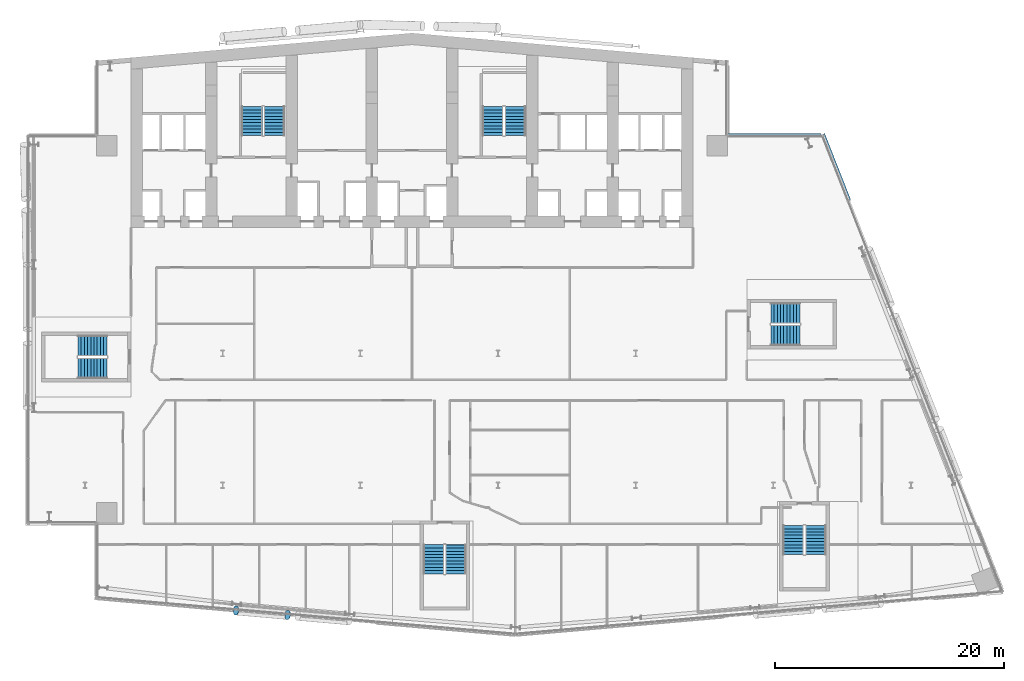
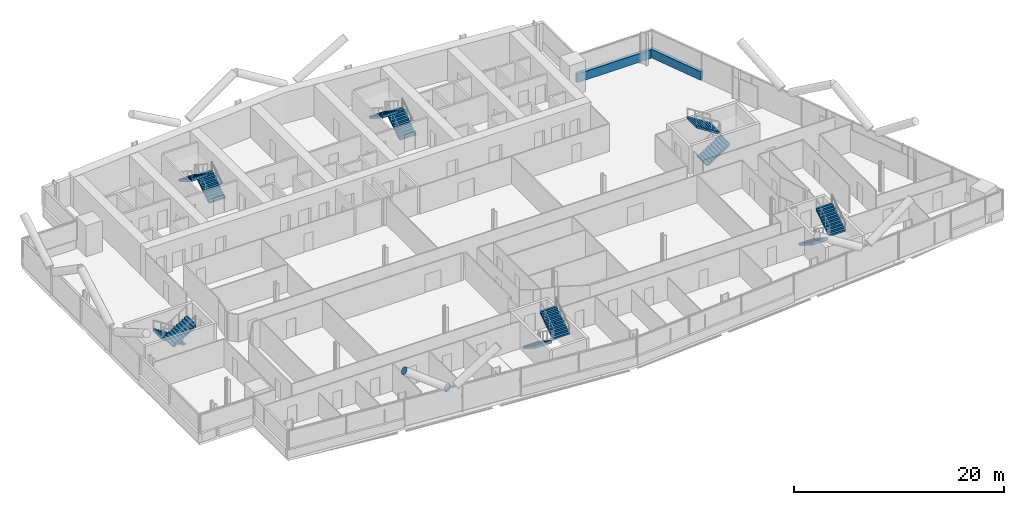
# One storey, part 21 of 28: 12 stair flights, 2 discrete accessories, 2 walls, 6 elements without a shape of their own.
"""IFC4 building model written with IfcOpenShell, lengths in metres."""

from ifc_helpers import new_model, si_unit, direction, frame, frame_2d, origin, origin_2d, place, context, subcontext, project, spatial, polyline, rectangle, circle, outline, extrude, material, layer, layer_set, material_profile, profile_set, type_object, element, aggregate, save


model = new_model("IFC4")

# Units and contexts
model_context = context("Model", 3, precision=1e-05, world=origin(), true_north=direction((0.0, 1.0)))
body_context = subcontext(model_context, "Body", "Model", "MODEL_VIEW")
ifc_project = project(units=[si_unit("LENGTHUNIT", "METRE"), si_unit("AREAUNIT", "SQUARE_METRE"), si_unit("VOLUMEUNIT", "CUBIC_METRE"), si_unit("PLANEANGLEUNIT", "RADIAN"), si_unit("MASSUNIT", "GRAM", prefix="KILO")], contexts=[model_context])

# Site, building, storey
site_placement = place(None, origin())
site = spatial("IfcSite", under=ifc_project, at=site_placement, CompositionType="ELEMENT")
building_placement = place(site_placement, origin())
building = spatial("IfcBuilding", under=site, at=building_placement, Name="Wharfspan Tower", CompositionType="ELEMENT")
storey_placement = place(building_placement, frame((0.0, 0.0, 132.699951)))
storey = spatial("IfcBuildingStorey", under=building, at=storey_placement, Name="L31", CompositionType="ELEMENT", Elevation=132.699951)

# Walls
ifc_material_1 = material(Name="Concrete C40/50", Category="concrete")
ifc_layer = layer(ifc_material_1, 0.350098)
ifc_layer_set = layer_set([ifc_layer], Name="Concrete C40/50")
wall_type = type_object("IfcWallType", Name="SPANDREL EXPOSED CONCRETE 350", PredefinedType="SOLIDWALL", material=ifc_layer_set)
wall_1_placement = place(storey_placement, frame((78.586426, 36.343994, 0.0), z_axis=(0.0, 0.0, 1.0), x_axis=(-0.365792, 0.930699, 0.0)))
element("IfcWall", 1, at=wall_1_placement, inside=storey, type_object=wall_type, Name="Spandrel upstand L31 E 2", PredefinedType="SOLIDWALL", context=body_context, shape_type="SweptSolid", body=[
    extrude(rectangle(XDim=6.20166, YDim=0.350098, at=frame_2d((3.10083, 0.0))), origin(), (0.0, 0.0, 1.0), 1.0),
])
wall_2_placement = place(storey_placement, frame((76.155029, 42.004883, 0.0), z_axis=(0.0, 0.0, 1.0), x_axis=(-1.0, 0.0, 0.0)))
element("IfcWall", 2, at=wall_2_placement, inside=storey, type_object=wall_type, Name="Spandrel upstand L31 NRE-H", PredefinedType="SOLIDWALL", context=body_context, shape_type="SweptSolid", body=[
    extrude(rectangle(XDim=8.155029, YDim=0.350098, at=frame_2d((4.077637, 0.0))), origin(), (0.0, 0.0, 1.0), 1.0),
])

# Stair, stair flights
stair_type = type_object("IfcStairType", Name="Half-turn stair 20 risers 180 mm", PredefinedType="HALF_TURN_STAIR", material=ifc_material_1)
stair_1_placement = place(storey_placement, origin())
stair_1 = element("IfcStair", 3, at=stair_1_placement, inside=storey, type_object=stair_type, Name="L31 stair ST1", PredefinedType="HALF_TURN_STAIR")
stair_flight_type = type_object("IfcStairFlightType", Name="Stair flight 20 risers 180 mm", PredefinedType="STRAIGHT", material=ifc_material_1)
stair_flight_1_placement = place(storey_placement, frame((28.5, 42.0, 0.0), z_axis=(0.0, 0.0, 1.0), x_axis=(0.0, 1.0, 0.0)))
stair_flight_1 = element("IfcStairFlight", 4, at=stair_flight_1_placement, type_object=stair_flight_type, Name="ST1 flight 1", NumberOfRisers=10, NumberOfTreads=9, PredefinedType="STRAIGHT", RiserHeight=0.18, TreadLength=0.28, context=body_context, shape_type="SweptSolid", body=[
    extrude(outline(polyline([(-0.011963, 0.0), (-0.011963, 0.179932), (0.0, 0.179932), (0.280029, 0.179932), (0.280029, 0.360107), (0.560059, 0.360107), (0.560059, 0.540039), (0.840088, 0.540039), (0.840088, 0.719971), (1.120117, 0.719971), (1.120117, 0.899902), (1.399902, 0.899902), (1.399902, 1.080078), (1.679932, 1.080078), (1.679932, 1.26001), (1.959961, 1.26001), (1.959961, 1.439941), (2.23999, 1.439941), (2.23999, 1.620117), (2.52002, 1.620117), (2.531982, 1.800049), (2.531982, 1.441895), (0.2771, 0.0), (-0.011963, 0.0)])), frame((0.0, 0.899902, 0.0), z_axis=(0.0, -1.0, 0.0), x_axis=(1.0, 0.0, 0.0)), (0.0, 0.0, 1.0), 0.899414),
    extrude(outline(polyline([(-0.011963, 0.0), (-0.011963, 0.179932), (0.0, 0.179932), (0.280029, 0.179932), (0.280029, 0.360107), (0.560059, 0.360107), (0.560059, 0.540039), (0.840088, 0.540039), (0.840088, 0.719971), (1.120117, 0.719971), (1.120117, 0.899902), (1.399902, 0.899902), (1.399902, 1.080078), (1.679932, 1.080078), (1.679932, 1.26001), (1.959961, 1.26001), (1.959961, 1.439941), (2.23999, 1.439941), (2.23999, 1.620117), (2.52002, 1.620117), (2.531982, 1.800049), (2.531982, 1.441895), (0.2771, 0.0), (-0.011963, 0.0)])), frame((0.0, -0.000488, 0.0), z_axis=(0.0, -1.0, 0.0), x_axis=(1.0, 0.0, 0.0)), (0.0, 0.0, 1.0), 0.899414),
])
stair_flight_2_placement = place(storey_placement, frame((26.550049, 44.52002, 1.800049), z_axis=(0.0, 0.0, 1.0), x_axis=(0.0, -1.0, 0.0)))
stair_flight_2 = element("IfcStairFlight", 5, at=stair_flight_2_placement, type_object=stair_flight_type, Name="ST1 flight 2", NumberOfRisers=10, NumberOfTreads=9, PredefinedType="STRAIGHT", RiserHeight=0.18, TreadLength=0.28, context=body_context, shape_type="SweptSolid", body=[
    extrude(outline(polyline([(-0.011963, 0.0), (-0.011963, 0.179932), (0.0, 0.179932), (0.280029, 0.179932), (0.280029, 0.360107), (0.560059, 0.360107), (0.560059, 0.540039), (0.840088, 0.540039), (0.840088, 0.719971), (1.120117, 0.719971), (1.120117, 0.899902), (1.399902, 0.899902), (1.399902, 1.080078), (1.679932, 1.080078), (1.679932, 1.26001), (1.959961, 1.26001), (1.959961, 1.439941), (2.23999, 1.439941), (2.23999, 1.620117), (2.52002, 1.620117), (2.531982, 1.800049), (2.531982, 1.441895), (0.2771, 0.0), (-0.011963, 0.0)])), frame((0.0, 0.899902, 0.0), z_axis=(0.0, -1.0, 0.0), x_axis=(1.0, 0.0, 0.0)), (0.0, 0.0, 1.0), 0.899414),
    extrude(outline(polyline([(-0.011963, 0.0), (-0.011963, 0.179932), (0.0, 0.179932), (0.280029, 0.179932), (0.280029, 0.360107), (0.560059, 0.360107), (0.560059, 0.540039), (0.840088, 0.540039), (0.840088, 0.719971), (1.120117, 0.719971), (1.120117, 0.899902), (1.399902, 0.899902), (1.399902, 1.080078), (1.679932, 1.080078), (1.679932, 1.26001), (1.959961, 1.26001), (1.959961, 1.439941), (2.23999, 1.439941), (2.23999, 1.620117), (2.52002, 1.620117), (2.531982, 1.800049), (2.531982, 1.441895), (0.2771, 0.0), (-0.011963, 0.0)])), frame((0.0, -0.000488, 0.0), z_axis=(0.0, -1.0, 0.0), x_axis=(1.0, 0.0, 0.0)), (0.0, 0.0, 1.0), 0.899414),
])
aggregate(stair_1, [stair_flight_1, stair_flight_2])

stair_2_placement = place(storey_placement, origin())
stair_2 = element("IfcStair", 6, at=stair_2_placement, inside=storey, type_object=stair_type, Name="L31 stair ST2", PredefinedType="HALF_TURN_STAIR")
stair_flight_3_placement = place(storey_placement, frame((49.5, 42.0, 0.0), z_axis=(0.0, 0.0, 1.0), x_axis=(0.0, 1.0, 0.0)))
stair_flight_3 = element("IfcStairFlight", 7, at=stair_flight_3_placement, type_object=stair_flight_type, Name="ST2 flight 1", NumberOfRisers=10, NumberOfTreads=9, PredefinedType="STRAIGHT", RiserHeight=0.18, TreadLength=0.28, context=body_context, shape_type="SweptSolid", body=[
    extrude(outline(polyline([(-0.011963, 0.0), (-0.011963, 0.179932), (0.0, 0.179932), (0.280029, 0.179932), (0.280029, 0.360107), (0.560059, 0.360107), (0.560059, 0.540039), (0.840088, 0.540039), (0.840088, 0.719971), (1.120117, 0.719971), (1.120117, 0.899902), (1.399902, 0.899902), (1.399902, 1.080078), (1.679932, 1.080078), (1.679932, 1.26001), (1.959961, 1.26001), (1.959961, 1.439941), (2.23999, 1.439941), (2.23999, 1.620117), (2.52002, 1.620117), (2.531982, 1.800049), (2.531982, 1.441895), (0.2771, 0.0), (-0.011963, 0.0)])), frame((0.0, 0.899902, 0.0), z_axis=(0.0, -1.0, 0.0), x_axis=(1.0, 0.0, 0.0)), (0.0, 0.0, 1.0), 0.899414),
    extrude(outline(polyline([(-0.011963, 0.0), (-0.011963, 0.179932), (0.0, 0.179932), (0.280029, 0.179932), (0.280029, 0.360107), (0.560059, 0.360107), (0.560059, 0.540039), (0.840088, 0.540039), (0.840088, 0.719971), (1.120117, 0.719971), (1.120117, 0.899902), (1.399902, 0.899902), (1.399902, 1.080078), (1.679932, 1.080078), (1.679932, 1.26001), (1.959961, 1.26001), (1.959961, 1.439941), (2.23999, 1.439941), (2.23999, 1.620117), (2.52002, 1.620117), (2.531982, 1.800049), (2.531982, 1.441895), (0.2771, 0.0), (-0.011963, 0.0)])), frame((0.0, -0.000488, 0.0), z_axis=(0.0, -1.0, 0.0), x_axis=(1.0, 0.0, 0.0)), (0.0, 0.0, 1.0), 0.899414),
])
stair_flight_4_placement = place(storey_placement, frame((47.550049, 44.52002, 1.800049), z_axis=(0.0, 0.0, 1.0), x_axis=(0.0, -1.0, 0.0)))
stair_flight_4 = element("IfcStairFlight", 8, at=stair_flight_4_placement, type_object=stair_flight_type, Name="ST2 flight 2", NumberOfRisers=10, NumberOfTreads=9, PredefinedType="STRAIGHT", RiserHeight=0.18, TreadLength=0.28, context=body_context, shape_type="SweptSolid", body=[
    extrude(outline(polyline([(-0.011963, 0.0), (-0.011963, 0.179932), (0.0, 0.179932), (0.280029, 0.179932), (0.280029, 0.360107), (0.560059, 0.360107), (0.560059, 0.540039), (0.840088, 0.540039), (0.840088, 0.719971), (1.120117, 0.719971), (1.120117, 0.899902), (1.399902, 0.899902), (1.399902, 1.080078), (1.679932, 1.080078), (1.679932, 1.26001), (1.959961, 1.26001), (1.959961, 1.439941), (2.23999, 1.439941), (2.23999, 1.620117), (2.52002, 1.620117), (2.531982, 1.800049), (2.531982, 1.441895), (0.2771, 0.0), (-0.011963, 0.0)])), frame((0.0, 0.899902, 0.0), z_axis=(0.0, -1.0, 0.0), x_axis=(1.0, 0.0, 0.0)), (0.0, 0.0, 1.0), 0.899414),
    extrude(outline(polyline([(-0.011963, 0.0), (-0.011963, 0.179932), (0.0, 0.179932), (0.280029, 0.179932), (0.280029, 0.360107), (0.560059, 0.360107), (0.560059, 0.540039), (0.840088, 0.540039), (0.840088, 0.719971), (1.120117, 0.719971), (1.120117, 0.899902), (1.399902, 0.899902), (1.399902, 1.080078), (1.679932, 1.080078), (1.679932, 1.26001), (1.959961, 1.26001), (1.959961, 1.439941), (2.23999, 1.439941), (2.23999, 1.620117), (2.52002, 1.620117), (2.531982, 1.800049), (2.531982, 1.441895), (0.2771, 0.0), (-0.011963, 0.0)])), frame((0.0, -0.000488, 0.0), z_axis=(0.0, -1.0, 0.0), x_axis=(1.0, 0.0, 0.0)), (0.0, 0.0, 1.0), 0.899414),
])
aggregate(stair_2, [stair_flight_3, stair_flight_4])

stair_3_placement = place(storey_placement, origin())
stair_3 = element("IfcStair", 9, at=stair_3_placement, inside=storey, type_object=stair_type, Name="L31 stair ST3", PredefinedType="HALF_TURN_STAIR")
stair_flight_5_placement = place(storey_placement, frame((13.899902, 23.675049, 0.0), z_axis=(0.0, 0.0, 1.0), x_axis=(-1.0, 0.0, 0.0)))
stair_flight_5 = element("IfcStairFlight", 10, at=stair_flight_5_placement, type_object=stair_flight_type, Name="ST3 flight 1", NumberOfRisers=10, NumberOfTreads=9, PredefinedType="STRAIGHT", RiserHeight=0.18, TreadLength=0.28, context=body_context, shape_type="SweptSolid", body=[
    extrude(outline(polyline([(-0.011963, 0.0), (-0.011963, 0.179932), (0.0, 0.179932), (0.280029, 0.179932), (0.280029, 0.360107), (0.560059, 0.360107), (0.560059, 0.540039), (0.840088, 0.540039), (0.840088, 0.719971), (1.120117, 0.719971), (1.120117, 0.899902), (1.399902, 0.899902), (1.399902, 1.080078), (1.679932, 1.080078), (1.679932, 1.26001), (1.959961, 1.26001), (1.959961, 1.439941), (2.23999, 1.439941), (2.23999, 1.620117), (2.52002, 1.620117), (2.531982, 1.800049), (2.531982, 1.441895), (0.2771, 0.0), (-0.011963, 0.0)])), frame((0.0, 0.899902, 0.0), z_axis=(0.0, -1.0, 0.0), x_axis=(1.0, 0.0, 0.0)), (0.0, 0.0, 1.0), 0.899414),
    extrude(outline(polyline([(-0.011963, 0.0), (-0.011963, 0.179932), (0.0, 0.179932), (0.280029, 0.179932), (0.280029, 0.360107), (0.560059, 0.360107), (0.560059, 0.540039), (0.840088, 0.540039), (0.840088, 0.719971), (1.120117, 0.719971), (1.120117, 0.899902), (1.399902, 0.899902), (1.399902, 1.080078), (1.679932, 1.080078), (1.679932, 1.26001), (1.959961, 1.26001), (1.959961, 1.439941), (2.23999, 1.439941), (2.23999, 1.620117), (2.52002, 1.620117), (2.531982, 1.800049), (2.531982, 1.441895), (0.2771, 0.0), (-0.011963, 0.0)])), frame((0.0, -0.000488, 0.0), z_axis=(0.0, -1.0, 0.0), x_axis=(1.0, 0.0, 0.0)), (0.0, 0.0, 1.0), 0.899414),
])
stair_flight_6_placement = place(storey_placement, frame((11.379883, 21.725098, 1.800049), z_axis=(0.0, 0.0, 1.0), x_axis=(1.0, 0.0, 0.0)))
stair_flight_6 = element("IfcStairFlight", 11, at=stair_flight_6_placement, type_object=stair_flight_type, Name="ST3 flight 2", NumberOfRisers=10, NumberOfTreads=9, PredefinedType="STRAIGHT", RiserHeight=0.18, TreadLength=0.28, context=body_context, shape_type="SweptSolid", body=[
    extrude(outline(polyline([(-0.011963, 0.0), (-0.011963, 0.179932), (0.0, 0.179932), (0.280029, 0.179932), (0.280029, 0.360107), (0.560059, 0.360107), (0.560059, 0.540039), (0.840088, 0.540039), (0.840088, 0.719971), (1.120117, 0.719971), (1.120117, 0.899902), (1.399902, 0.899902), (1.399902, 1.080078), (1.679932, 1.080078), (1.679932, 1.26001), (1.959961, 1.26001), (1.959961, 1.439941), (2.23999, 1.439941), (2.23999, 1.620117), (2.52002, 1.620117), (2.531982, 1.800049), (2.531982, 1.441895), (0.2771, 0.0), (-0.011963, 0.0)])), frame((0.0, 0.899902, 0.0), z_axis=(0.0, -1.0, 0.0), x_axis=(1.0, 0.0, 0.0)), (0.0, 0.0, 1.0), 0.899414),
    extrude(outline(polyline([(-0.011963, 0.0), (-0.011963, 0.179932), (0.0, 0.179932), (0.280029, 0.179932), (0.280029, 0.360107), (0.560059, 0.360107), (0.560059, 0.540039), (0.840088, 0.540039), (0.840088, 0.719971), (1.120117, 0.719971), (1.120117, 0.899902), (1.399902, 0.899902), (1.399902, 1.080078), (1.679932, 1.080078), (1.679932, 1.26001), (1.959961, 1.26001), (1.959961, 1.439941), (2.23999, 1.439941), (2.23999, 1.620117), (2.52002, 1.620117), (2.531982, 1.800049), (2.531982, 1.441895), (0.2771, 0.0), (-0.011963, 0.0)])), frame((0.0, -0.000488, 0.0), z_axis=(0.0, -1.0, 0.0), x_axis=(1.0, 0.0, 0.0)), (0.0, 0.0, 1.0), 0.899414),
])
aggregate(stair_3, [stair_flight_5, stair_flight_6])

stair_4_placement = place(storey_placement, origin())
stair_4 = element("IfcStair", 12, at=stair_4_placement, inside=storey, type_object=stair_type, Name="L31 stair ST4", PredefinedType="HALF_TURN_STAIR")
stair_flight_7_placement = place(storey_placement, frame((42.385254, 6.316895, 0.0), z_axis=(0.0, 0.0, 1.0), x_axis=(0.0, -1.0, 0.0)))
stair_flight_7 = element("IfcStairFlight", 13, at=stair_flight_7_placement, type_object=stair_flight_type, Name="ST4 flight 1", NumberOfRisers=10, NumberOfTreads=9, PredefinedType="STRAIGHT", RiserHeight=0.18, TreadLength=0.28, context=body_context, shape_type="SweptSolid", body=[
    extrude(outline(polyline([(-0.011963, 0.0), (-0.011963, 0.179932), (0.0, 0.179932), (0.280029, 0.179932), (0.280029, 0.360107), (0.560059, 0.360107), (0.560059, 0.540039), (0.840088, 0.540039), (0.840088, 0.719971), (1.120117, 0.719971), (1.120117, 0.899902), (1.399902, 0.899902), (1.399902, 1.080078), (1.679932, 1.080078), (1.679932, 1.26001), (1.959961, 1.26001), (1.959961, 1.439941), (2.23999, 1.439941), (2.23999, 1.620117), (2.52002, 1.620117), (2.531982, 1.800049), (2.531982, 1.441895), (0.2771, 0.0), (-0.011963, 0.0)])), frame((0.0, 0.899902, 0.0), z_axis=(0.0, -1.0, 0.0), x_axis=(1.0, 0.0, 0.0)), (0.0, 0.0, 1.0), 0.899414),
    extrude(outline(polyline([(-0.011963, 0.0), (-0.011963, 0.179932), (0.0, 0.179932), (0.280029, 0.179932), (0.280029, 0.360107), (0.560059, 0.360107), (0.560059, 0.540039), (0.840088, 0.540039), (0.840088, 0.719971), (1.120117, 0.719971), (1.120117, 0.899902), (1.399902, 0.899902), (1.399902, 1.080078), (1.679932, 1.080078), (1.679932, 1.26001), (1.959961, 1.26001), (1.959961, 1.439941), (2.23999, 1.439941), (2.23999, 1.620117), (2.52002, 1.620117), (2.531982, 1.800049), (2.531982, 1.441895), (0.2771, 0.0), (-0.011963, 0.0)])), frame((0.0, -0.000488, 0.0), z_axis=(0.0, -1.0, 0.0), x_axis=(1.0, 0.0, 0.0)), (0.0, 0.0, 1.0), 0.899414),
])
stair_flight_8_placement = place(storey_placement, frame((44.335205, 3.796875, 1.800049), z_axis=(0.0, 0.0, 1.0), x_axis=(0.0, 1.0, 0.0)))
stair_flight_8 = element("IfcStairFlight", 14, at=stair_flight_8_placement, type_object=stair_flight_type, Name="ST4 flight 2", NumberOfRisers=10, NumberOfTreads=9, PredefinedType="STRAIGHT", RiserHeight=0.18, TreadLength=0.28, context=body_context, shape_type="SweptSolid", body=[
    extrude(outline(polyline([(-0.011963, 0.0), (-0.011963, 0.179932), (0.0, 0.179932), (0.280029, 0.179932), (0.280029, 0.360107), (0.560059, 0.360107), (0.560059, 0.540039), (0.840088, 0.540039), (0.840088, 0.719971), (1.120117, 0.719971), (1.120117, 0.899902), (1.399902, 0.899902), (1.399902, 1.080078), (1.679932, 1.080078), (1.679932, 1.26001), (1.959961, 1.26001), (1.959961, 1.439941), (2.23999, 1.439941), (2.23999, 1.620117), (2.52002, 1.620117), (2.531982, 1.800049), (2.531982, 1.441895), (0.2771, 0.0), (-0.011963, 0.0)])), frame((0.0, 0.899902, 0.0), z_axis=(0.0, -1.0, 0.0), x_axis=(1.0, 0.0, 0.0)), (0.0, 0.0, 1.0), 0.899414),
    extrude(outline(polyline([(-0.011963, 0.0), (-0.011963, 0.179932), (0.0, 0.179932), (0.280029, 0.179932), (0.280029, 0.360107), (0.560059, 0.360107), (0.560059, 0.540039), (0.840088, 0.540039), (0.840088, 0.719971), (1.120117, 0.719971), (1.120117, 0.899902), (1.399902, 0.899902), (1.399902, 1.080078), (1.679932, 1.080078), (1.679932, 1.26001), (1.959961, 1.26001), (1.959961, 1.439941), (2.23999, 1.439941), (2.23999, 1.620117), (2.52002, 1.620117), (2.531982, 1.800049), (2.531982, 1.441895), (0.2771, 0.0), (-0.011963, 0.0)])), frame((0.0, -0.000488, 0.0), z_axis=(0.0, -1.0, 0.0), x_axis=(1.0, 0.0, 0.0)), (0.0, 0.0, 1.0), 0.899414),
])
aggregate(stair_4, [stair_flight_7, stair_flight_8])

stair_5_placement = place(storey_placement, origin())
stair_5 = element("IfcStair", 15, at=stair_5_placement, inside=storey, type_object=stair_type, Name="L31 stair ST5", PredefinedType="HALF_TURN_STAIR")
stair_flight_9_placement = place(storey_placement, frame((73.740967, 7.994629, 0.0), z_axis=(0.0, 0.0, 1.0), x_axis=(0.0, -1.0, 0.0)))
stair_flight_9 = element("IfcStairFlight", 16, at=stair_flight_9_placement, type_object=stair_flight_type, Name="ST5 flight 1", NumberOfRisers=10, NumberOfTreads=9, PredefinedType="STRAIGHT", RiserHeight=0.18, TreadLength=0.28, context=body_context, shape_type="SweptSolid", body=[
    extrude(outline(polyline([(-0.011963, 0.0), (-0.011963, 0.179932), (0.0, 0.179932), (0.280029, 0.179932), (0.280029, 0.360107), (0.560059, 0.360107), (0.560059, 0.540039), (0.840088, 0.540039), (0.840088, 0.719971), (1.120117, 0.719971), (1.120117, 0.899902), (1.399902, 0.899902), (1.399902, 1.080078), (1.679932, 1.080078), (1.679932, 1.26001), (1.959961, 1.26001), (1.959961, 1.439941), (2.23999, 1.439941), (2.23999, 1.620117), (2.52002, 1.620117), (2.531982, 1.800049), (2.531982, 1.441895), (0.2771, 0.0), (-0.011963, 0.0)])), frame((0.0, 0.899902, 0.0), z_axis=(0.0, -1.0, 0.0), x_axis=(1.0, 0.0, 0.0)), (0.0, 0.0, 1.0), 0.899414),
    extrude(outline(polyline([(-0.011963, 0.0), (-0.011963, 0.179932), (0.0, 0.179932), (0.280029, 0.179932), (0.280029, 0.360107), (0.560059, 0.360107), (0.560059, 0.540039), (0.840088, 0.540039), (0.840088, 0.719971), (1.120117, 0.719971), (1.120117, 0.899902), (1.399902, 0.899902), (1.399902, 1.080078), (1.679932, 1.080078), (1.679932, 1.26001), (1.959961, 1.26001), (1.959961, 1.439941), (2.23999, 1.439941), (2.23999, 1.620117), (2.52002, 1.620117), (2.531982, 1.800049), (2.531982, 1.441895), (0.2771, 0.0), (-0.011963, 0.0)])), frame((0.0, -0.000488, 0.0), z_axis=(0.0, -1.0, 0.0), x_axis=(1.0, 0.0, 0.0)), (0.0, 0.0, 1.0), 0.899414),
])
stair_flight_10_placement = place(storey_placement, frame((75.690918, 5.474609, 1.800049), z_axis=(0.0, 0.0, 1.0), x_axis=(0.0, 1.0, 0.0)))
stair_flight_10 = element("IfcStairFlight", 17, at=stair_flight_10_placement, type_object=stair_flight_type, Name="ST5 flight 2", NumberOfRisers=10, NumberOfTreads=9, PredefinedType="STRAIGHT", RiserHeight=0.18, TreadLength=0.28, context=body_context, shape_type="SweptSolid", body=[
    extrude(outline(polyline([(-0.011963, 0.0), (-0.011963, 0.179932), (0.0, 0.179932), (0.280029, 0.179932), (0.280029, 0.360107), (0.560059, 0.360107), (0.560059, 0.540039), (0.840088, 0.540039), (0.840088, 0.719971), (1.120117, 0.719971), (1.120117, 0.899902), (1.399902, 0.899902), (1.399902, 1.080078), (1.679932, 1.080078), (1.679932, 1.26001), (1.959961, 1.26001), (1.959961, 1.439941), (2.23999, 1.439941), (2.23999, 1.620117), (2.52002, 1.620117), (2.531982, 1.800049), (2.531982, 1.441895), (0.2771, 0.0), (-0.011963, 0.0)])), frame((0.0, 0.899902, 0.0), z_axis=(0.0, -1.0, 0.0), x_axis=(1.0, 0.0, 0.0)), (0.0, 0.0, 1.0), 0.899414),
    extrude(outline(polyline([(-0.011963, 0.0), (-0.011963, 0.179932), (0.0, 0.179932), (0.280029, 0.179932), (0.280029, 0.360107), (0.560059, 0.360107), (0.560059, 0.540039), (0.840088, 0.540039), (0.840088, 0.719971), (1.120117, 0.719971), (1.120117, 0.899902), (1.399902, 0.899902), (1.399902, 1.080078), (1.679932, 1.080078), (1.679932, 1.26001), (1.959961, 1.26001), (1.959961, 1.439941), (2.23999, 1.439941), (2.23999, 1.620117), (2.52002, 1.620117), (2.531982, 1.800049), (2.531982, 1.441895), (0.2771, 0.0), (-0.011963, 0.0)])), frame((0.0, -0.000488, 0.0), z_axis=(0.0, -1.0, 0.0), x_axis=(1.0, 0.0, 0.0)), (0.0, 0.0, 1.0), 0.899414),
])
aggregate(stair_5, [stair_flight_9, stair_flight_10])

stair_6_placement = place(storey_placement, origin())
stair_6 = element("IfcStair", 18, at=stair_6_placement, inside=storey, type_object=stair_type, Name="L31 stair ST6", PredefinedType="HALF_TURN_STAIR")
stair_flight_11_placement = place(storey_placement, frame((71.790283, 24.574951, 0.0), z_axis=(0.0, 0.0, 1.0), x_axis=(1.0, 0.0, 0.0)))
stair_flight_11 = element("IfcStairFlight", 19, at=stair_flight_11_placement, type_object=stair_flight_type, Name="ST6 flight 1", NumberOfRisers=10, NumberOfTreads=9, PredefinedType="STRAIGHT", RiserHeight=0.18, TreadLength=0.28, context=body_context, shape_type="SweptSolid", body=[
    extrude(outline(polyline([(-0.011963, 0.0), (-0.011963, 0.179932), (0.0, 0.179932), (0.280029, 0.179932), (0.280029, 0.360107), (0.560059, 0.360107), (0.560059, 0.540039), (0.840088, 0.540039), (0.840088, 0.719971), (1.120117, 0.719971), (1.120117, 0.899902), (1.399902, 0.899902), (1.399902, 1.080078), (1.679932, 1.080078), (1.679932, 1.26001), (1.959961, 1.26001), (1.959961, 1.439941), (2.23999, 1.439941), (2.23999, 1.620117), (2.52002, 1.620117), (2.531982, 1.800049), (2.531982, 1.441895), (0.2771, 0.0), (-0.011963, 0.0)])), frame((0.0, 0.899902, 0.0), z_axis=(0.0, -1.0, 0.0), x_axis=(1.0, 0.0, 0.0)), (0.0, 0.0, 1.0), 0.899414),
    extrude(outline(polyline([(-0.011963, 0.0), (-0.011963, 0.179932), (0.0, 0.179932), (0.280029, 0.179932), (0.280029, 0.360107), (0.560059, 0.360107), (0.560059, 0.540039), (0.840088, 0.540039), (0.840088, 0.719971), (1.120117, 0.719971), (1.120117, 0.899902), (1.399902, 0.899902), (1.399902, 1.080078), (1.679932, 1.080078), (1.679932, 1.26001), (1.959961, 1.26001), (1.959961, 1.439941), (2.23999, 1.439941), (2.23999, 1.620117), (2.52002, 1.620117), (2.531982, 1.800049), (2.531982, 1.441895), (0.2771, 0.0), (-0.011963, 0.0)])), frame((0.0, -0.000488, 0.0), z_axis=(0.0, -1.0, 0.0), x_axis=(1.0, 0.0, 0.0)), (0.0, 0.0, 1.0), 0.899414),
])
stair_flight_12_placement = place(storey_placement, frame((74.310303, 26.524902, 1.800049), z_axis=(0.0, 0.0, 1.0), x_axis=(-1.0, 0.0, 0.0)))
stair_flight_12 = element("IfcStairFlight", 20, at=stair_flight_12_placement, type_object=stair_flight_type, Name="ST6 flight 2", NumberOfRisers=10, NumberOfTreads=9, PredefinedType="STRAIGHT", RiserHeight=0.18, TreadLength=0.28, context=body_context, shape_type="SweptSolid", body=[
    extrude(outline(polyline([(-0.011963, 0.0), (-0.011963, 0.179932), (0.0, 0.179932), (0.280029, 0.179932), (0.280029, 0.360107), (0.560059, 0.360107), (0.560059, 0.540039), (0.840088, 0.540039), (0.840088, 0.719971), (1.120117, 0.719971), (1.120117, 0.899902), (1.399902, 0.899902), (1.399902, 1.080078), (1.679932, 1.080078), (1.679932, 1.26001), (1.959961, 1.26001), (1.959961, 1.439941), (2.23999, 1.439941), (2.23999, 1.620117), (2.52002, 1.620117), (2.531982, 1.800049), (2.531982, 1.441895), (0.2771, 0.0), (-0.011963, 0.0)])), frame((0.0, 0.899902, 0.0), z_axis=(0.0, -1.0, 0.0), x_axis=(1.0, 0.0, 0.0)), (0.0, 0.0, 1.0), 0.899414),
    extrude(outline(polyline([(-0.011963, 0.0), (-0.011963, 0.179932), (0.0, 0.179932), (0.280029, 0.179932), (0.280029, 0.360107), (0.560059, 0.360107), (0.560059, 0.540039), (0.840088, 0.540039), (0.840088, 0.719971), (1.120117, 0.719971), (1.120117, 0.899902), (1.399902, 0.899902), (1.399902, 1.080078), (1.679932, 1.080078), (1.679932, 1.26001), (1.959961, 1.26001), (1.959961, 1.439941), (2.23999, 1.439941), (2.23999, 1.620117), (2.52002, 1.620117), (2.531982, 1.800049), (2.531982, 1.441895), (0.2771, 0.0), (-0.011963, 0.0)])), frame((0.0, -0.000488, 0.0), z_axis=(0.0, -1.0, 0.0), x_axis=(1.0, 0.0, 0.0)), (0.0, 0.0, 1.0), 0.899414),
])
aggregate(stair_6, [stair_flight_11, stair_flight_12])

# Discrete accessories
ifc_material_2 = material(Name="Steel S460NH", Category="steel")
ifc_material_profile = material_profile(ifc_material_2, circle(Radius=0.406494, at=origin_2d()))
ifc_profile_set = profile_set([ifc_material_profile], Name="Steel S460NH")
discrete_accessory_type = type_object("IfcDiscreteAccessoryType", Name="End plate CHS 813x40", PredefinedType="BRACKET", material=ifc_profile_set)
discrete_accessory_1_placement = place(storey_placement, frame((29.662842, 0.202148, 3.220947), z_axis=(-0.795008, 0.072273, 0.602279), x_axis=(-0.090536, -0.995894, -1e-06)))
element("IfcDiscreteAccessory", 21, at=discrete_accessory_1_placement, inside=storey, type_object=discrete_accessory_type, Name="End plate CHS 813x40", PredefinedType="BRACKET", context=body_context, shape_type="SweptSolid", body=[
    extrude(circle(Radius=0.406494, at=origin_2d()), origin(), (0.0, 0.0, 1.0), 0.010254),
])
discrete_accessory_2_placement = place(storey_placement, frame((25.165283, 0.595703, 6.5), z_axis=(-0.806559, 0.073324, 0.586588), x_axis=(-0.090536, -0.99589, 0.0)))
element("IfcDiscreteAccessory", 22, at=discrete_accessory_2_placement, inside=storey, type_object=discrete_accessory_type, Name="End plate CHS 813x40", PredefinedType="BRACKET", context=body_context, shape_type="SweptSolid", body=[
    extrude(circle(Radius=0.406494, at=origin_2d()), origin(), (0.0, 0.0, 1.0), 0.01001),
])

save(model, "model.ifc")
